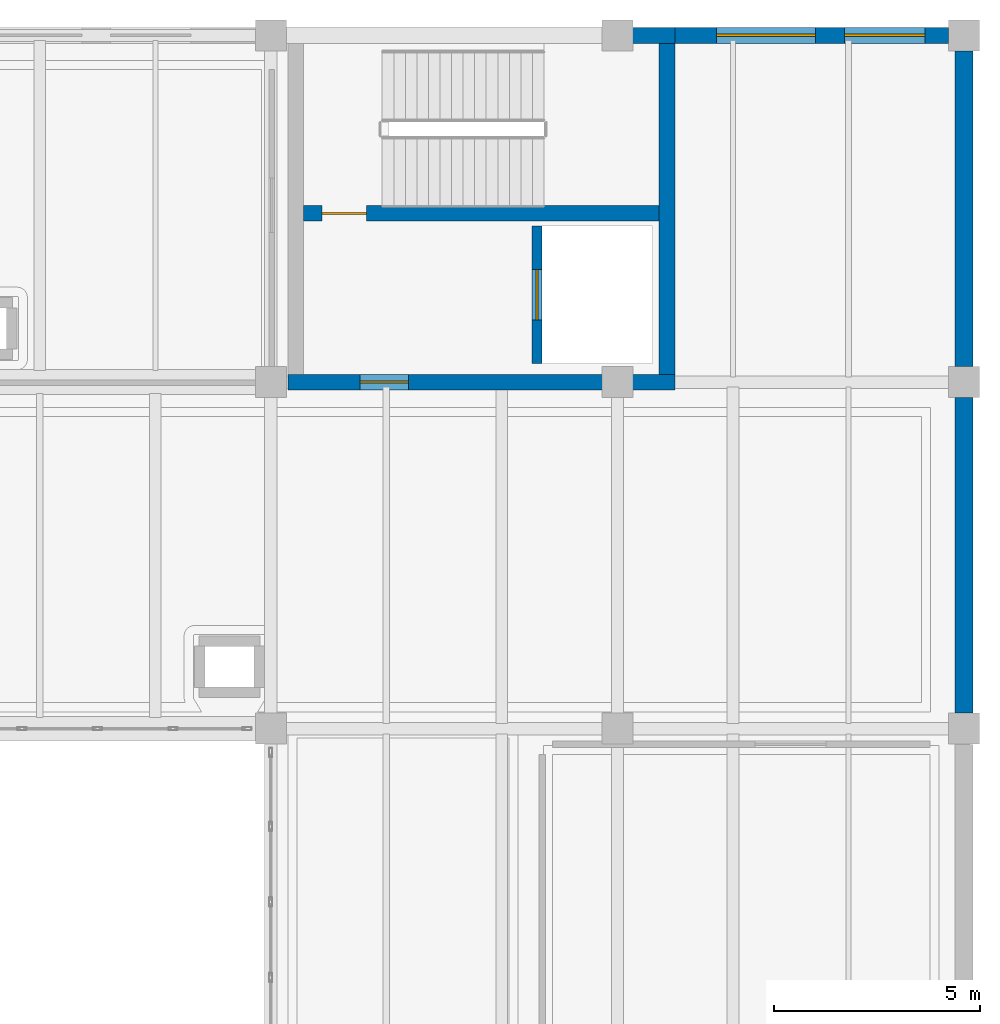
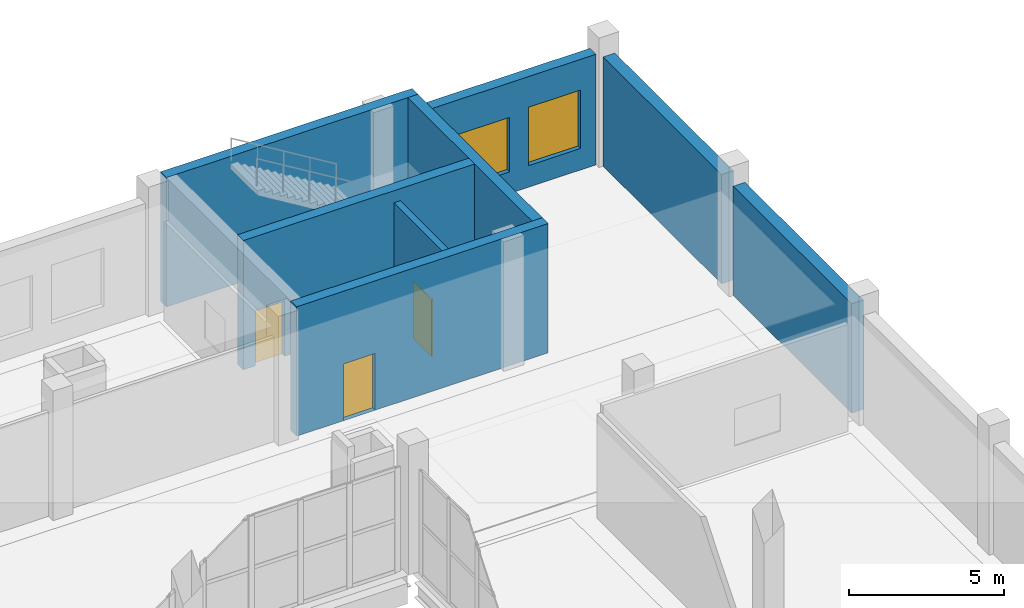
# One storey, part 65 of 77: 8 walls, 3 doors, 2 windows, 5 openings.
"""IFC4 building model written with IfcOpenShell, lengths in metres."""

from ifc_helpers import new_model, si_unit, direction, frame, frame_2d, origin, place, context, subcontext, project, spatial, rectangle, extrude, material, layer, layer_set, type_object, element, fill, save


model = new_model("IFC4")

# Units and contexts
model_context = context("Model", 3, precision=1e-05, world=origin(), true_north=direction((0.0, 1.0)))
body_context = subcontext(model_context, "Body", "Model", "MODEL_VIEW")
ifc_project = project(units=[si_unit("LENGTHUNIT", "METRE"), si_unit("AREAUNIT", "SQUARE_METRE"), si_unit("VOLUMEUNIT", "CUBIC_METRE"), si_unit("PLANEANGLEUNIT", "RADIAN"), si_unit("MASSUNIT", "GRAM", prefix="KILO")], contexts=[model_context])

# Site, building, storey
site_placement = place(None, origin())
site = spatial("IfcSite", under=ifc_project, at=site_placement, CompositionType="ELEMENT")
building_placement = place(site_placement, origin())
building = spatial("IfcBuilding", under=site, at=building_placement, Name="Zulmaris Art Gallery", CompositionType="ELEMENT")
storey_placement = place(building_placement, frame((0.0, 0.0, 15.60009765625)))
storey = spatial("IfcBuildingStorey", under=building, at=storey_placement, Name="L03", CompositionType="ELEMENT", Elevation=15.60009765625)

# Walls
ifc_material_1 = material(Name="Omani Cream Limestone Ashlar Masonry", Category="masonry")
ifc_layer_1 = layer(ifc_material_1, 0.43994140625)
ifc_layer_set_1 = layer_set([ifc_layer_1], Name="Omani Cream Limestone Ashlar Masonry")
wall_type_1 = type_object("IfcWallType", Name="ENV-WALL-EW01", PredefinedType="SOLIDWALL", material=ifc_layer_set_1)
for number, where, z_axis, x_axis, name in (
    (1, (200.39990234375, 59.177001953125, 0.0), (0.0, 0.0, 1.0), (0.0, 1.0, 0.0), "L03 V5 East Infill Party Wall"),
    (2, (200.39990234375, 67.576904296875, 0.0), (0.0, 0.0, 1.0), (0.0, 1.0, 0.0), "L03 V5 East Infill Party Wall"),
):
    element("IfcWall", number, at=place(storey_placement, frame(where, z_axis=z_axis, x_axis=x_axis)), inside=storey, type_object=wall_type_1, Name=name, PredefinedType="SOLIDWALL", context=body_context, shape_type="SweptSolid", body=[
        extrude(rectangle(XDim=7.64599609375, YDim=0.43994140625, at=frame_2d((3.822998046875, 0.0))), origin(), (0.0, 0.0, 1.0), 4.309814453125),
    ])

# Wall, openings, windows
ifc_material_2 = material(Name="Omani Desert Rose Limestone Cladding Wall", Category="masonry")
ifc_layer_2 = layer(ifc_material_2, 0.389892578125)
ifc_layer_set_2 = layer_set([ifc_layer_2], Name="Omani Desert Rose Limestone Cladding Wall")
wall_type_2 = type_object("IfcWallType", Name="ENV-WALL-EW02", PredefinedType="SOLIDWALL", material=ifc_layer_set_2)
wall_1_placement = place(storey_placement, frame((193.39208984375, 75.60009765625, 0.0), z_axis=(0.0, 0.0, 1.0), x_axis=(1.0, 0.0, 0.0)))
wall_1 = element("IfcWall", 3, at=wall_1_placement, inside=storey, type_object=wall_type_2, Name="L03 V5 North Studio Daylight Facade Bay 7", PredefinedType="SOLIDWALL", context=body_context, shape_type="SweptSolid", body=[
    extrude(rectangle(XDim=6.630859375, YDim=0.389892578125, at=frame_2d((3.3154296875, 0.0))), origin(), (0.0, 0.0, 1.0), 4.35986328125),
])
opening_1_placement = place(wall_1_placement, frame((1.008056640625, 0.0, 0.85009765625)))
opening_1 = element("IfcOpeningElement", 4, at=opening_1_placement, cuts=wall_1, Name="Opening W05", PredefinedType="OPENING", context=body_context, shape_type="SweptSolid", body=[
    extrude(rectangle(XDim=2.39990234375, YDim=2.14990234375, at=frame_2d((1.199951171875, 1.074951171875))), frame((0.0, 0.204833984375, 0.0), z_axis=(0.0, -1.0, 0.0), x_axis=(1.0, 0.0, 0.0)), (0.0, 0.0, 1.0), 0.409912109375),
])
opening_2_placement = place(wall_1_placement, frame((4.10791015625, 0.0, 0.85009765625)))
opening_2 = element("IfcOpeningElement", 5, at=opening_2_placement, cuts=wall_1, Name="Opening W08", PredefinedType="OPENING", context=body_context, shape_type="SweptSolid", body=[
    extrude(rectangle(XDim=1.949951171875, YDim=2.300048828125, at=frame_2d((0.97509765625, 1.14990234375))), frame((0.0, 0.204833984375, 0.0), z_axis=(0.0, -1.0, 0.0), x_axis=(1.0, 0.0, 0.0)), (0.0, 0.0, 1.0), 0.409912109375),
])
ifc_material_3 = material(Name="North-Facing Conservation Daylight Window", Category="glass")
window_type_1 = type_object("IfcWindowType", Name="WIN-W05", PartitioningType="SINGLE_PANEL", PredefinedType="WINDOW", material=ifc_material_3)
window_1_placement = place(opening_1_placement, origin())
window_1 = element("IfcWindow", 6, at=window_1_placement, inside=storey, type_object=window_type_1, Name="L03 exterior window W05", OverallHeight=2.14990234375, OverallWidth=2.39990234375, PartitioningType="SINGLE_PANEL", PredefinedType="WINDOW", context=body_context, shape_type="SweptSolid", body=[
    extrude(rectangle(XDim=2.39990234375, YDim=2.14990234375, at=frame_2d((1.199951171875, 1.074951171875))), frame((0.0, 0.030029296875, 0.0), z_axis=(0.0, -1.0, 0.0), x_axis=(1.0, 0.0, 0.0)), (0.0, 0.0, 1.0), 0.06005859375),
])
fill(opening_1, window_1)
ifc_material_4 = material(Name="Curatorial North Studio Window", Category="glass")
window_type_2 = type_object("IfcWindowType", Name="WIN-W08", PartitioningType="SINGLE_PANEL", PredefinedType="WINDOW", material=ifc_material_4)
window_2_placement = place(opening_2_placement, origin())
window_2 = element("IfcWindow", 7, at=window_2_placement, inside=storey, type_object=window_type_2, Name="L03 exterior window W08", OverallHeight=2.300048828125, OverallWidth=1.949951171875, PartitioningType="SINGLE_PANEL", PredefinedType="WINDOW", context=body_context, shape_type="SweptSolid", body=[
    extrude(rectangle(XDim=1.949951171875, YDim=2.300048828125, at=frame_2d((0.97509765625, 1.14990234375))), frame((0.0, 0.030029296875, 0.0), z_axis=(0.0, -1.0, 0.0), x_axis=(1.0, 0.0, 0.0)), (0.0, 0.0, 1.0), 0.06005859375),
])
fill(opening_2, window_2)

# Wall, opening, door
ifc_material_5 = material(Name="Core Lobby Fire-Resisting Masonry Wall", Category="masonry")
ifc_layer_3 = layer(ifc_material_5, 0.235107421875)
ifc_layer_set_3 = layer_set([ifc_layer_3], Name="Core Lobby Fire-Resisting Masonry Wall")
wall_type_3 = type_object("IfcWallType", Name="IWALL-PW10", PredefinedType="PARTITIONING", material=ifc_layer_set_3)
wall_2_placement = place(storey_placement, frame((190.050048828125, 67.64990234375, 0.0), z_axis=(0.0, 0.0, 1.0), x_axis=(0.0, 1.0, 0.0)))
wall_2 = element("IfcWall", 8, at=wall_2_placement, inside=storey, type_object=wall_type_3, Name="LF-F1 L03 lift shaft front wall", PredefinedType="PARTITIONING", context=body_context, shape_type="SweptSolid", body=[
    extrude(rectangle(XDim=3.330078125, YDim=0.235107421875, at=frame_2d((1.6650390625, 0.0))), origin(), (0.0, 0.0, 1.0), 4.719970703125),
])
opening_3_placement = place(wall_2_placement, frame((1.054931640625, 0.0, 0.0)))
opening_3 = element("IfcOpeningElement", 9, at=opening_3_placement, cuts=wall_2, Name="Opening LD02", PredefinedType="OPENING", context=body_context, shape_type="SweptSolid", body=[
    extrude(rectangle(XDim=1.219970703125, YDim=2.239990234375, at=frame_2d((0.60986328125, 1.1201171875))), frame((0.0, 0.12744140625, 0.0), z_axis=(0.0, -1.0, 0.0), x_axis=(1.0, 0.0, 0.0)), (0.0, 0.0, 1.0), 0.255126953125),
])
ifc_material_6 = material(Name="Firefighting Lift Sliding Landing Door", Category="steel")
door_type_1 = type_object("IfcDoorType", Name="IDOOR-LD02", OperationType="SLIDING_TO_RIGHT", PredefinedType="DOOR", material=ifc_material_6)
door_1_placement = place(opening_3_placement, origin())
door_1 = element("IfcDoor", 10, at=door_1_placement, inside=storey, type_object=door_type_1, Name="LF-F1 L03 Lift Landing Sliding Door", OperationType="SLIDING_TO_RIGHT", OverallHeight=2.239990234375, OverallWidth=1.219970703125, PredefinedType="DOOR", context=body_context, shape_type="SweptSolid", body=[
    extrude(rectangle(XDim=1.219970703125, YDim=2.239990234375, at=frame_2d((0.60986328125, 1.1201171875))), frame((0.0, 0.02490234375, 0.0), z_axis=(0.0, -1.0, 0.0), x_axis=(1.0, 0.0, 0.0)), (0.0, 0.0, 1.0), 0.050048828125),
])
fill(opening_3, door_1)

ifc_material_7 = material(Name="Concrete C50/60", Category="concrete")
ifc_layer_4 = layer(ifc_material_7, 0.3798828125)
ifc_layer_set_4 = layer_set([ifc_layer_4], Name="Concrete C50/60")
wall_type_4 = type_object("IfcWallType", Name="STR-WALL-SW02", PredefinedType="SHEAR", material=ifc_layer_set_4)
wall_3_placement = place(storey_placement, frame((184.010009765625, 67.199951171875, 0.0), z_axis=(0.0, 0.0, 1.0), x_axis=(1.0, 0.0, 0.0)))
wall_3 = element("IfcWall", 11, at=wall_3_placement, inside=storey, type_object=wall_type_4, Name="Core C4 L03 S shear wall", PredefinedType="SHEAR", context=body_context, shape_type="SweptSolid", body=[
    extrude(rectangle(XDim=9.3798828125, YDim=0.3798828125, at=frame_2d((4.68994140625, 0.0))), origin(), (0.0, 0.0, 1.0), 5.099853515625),
])
opening_4_placement = place(wall_3_placement, frame((1.75, 0.0, 0.0)))
opening_4 = element("IfcOpeningElement", 12, at=opening_4_placement, cuts=wall_3, Name="Opening D08", PredefinedType="OPENING", context=body_context, shape_type="SweptSolid", body=[
    extrude(rectangle(XDim=1.179931640625, YDim=2.239990234375, at=frame_2d((0.58984375, 1.1201171875))), frame((0.0, 0.199951171875, 0.0), z_axis=(0.0, -1.0, 0.0), x_axis=(1.0, 0.0, 0.0)), (0.0, 0.0, 1.0), 0.39990234375),
])
ifc_material_8 = material(Name="Firefighting Lobby Compartment Door", Category="steel")
door_type_2 = type_object("IfcDoorType", Name="IDOOR-D08", OperationType="NOTDEFINED", PredefinedType="DOOR", material=ifc_material_8)
door_2_placement = place(opening_4_placement, origin())
door_2 = element("IfcDoor", 13, at=door_2_placement, inside=storey, type_object=door_type_2, Name="Core C4 L03 Lobby Compartment Door", OperationType="SINGLE_SWING_RIGHT", OverallHeight=2.239990234375, OverallWidth=1.179931640625, PredefinedType="DOOR", context=body_context, shape_type="SweptSolid", body=[
    extrude(rectangle(XDim=1.179931640625, YDim=2.239990234375, at=frame_2d((0.58984375, 1.1201171875))), frame((0.0, 0.02490234375, 0.0), z_axis=(0.0, -1.0, 0.0), x_axis=(1.0, 0.0, 0.0)), (0.0, 0.0, 1.0), 0.050048828125),
])
fill(opening_4, door_2)

# Walls
wall_4_placement = place(storey_placement, frame((184.010009765625, 75.60009765625, 0.0), z_axis=(0.0, 0.0, 1.0), x_axis=(1.0, 0.0, 0.0)))
element("IfcWall", 14, at=wall_4_placement, inside=storey, type_object=wall_type_4, Name="Core C4 L03 N shear wall", PredefinedType="SHEAR", context=body_context, shape_type="SweptSolid", body=[
    extrude(rectangle(XDim=9.3798828125, YDim=0.3798828125, at=frame_2d((4.68994140625, 0.0))), origin(), (0.0, 0.0, 1.0), 5.099853515625),
])
wall_5_placement = place(storey_placement, frame((193.199951171875, 67.389892578125, 0.0), z_axis=(0.0, 0.0, 1.0), x_axis=(0.0, 1.0, 0.0)))
element("IfcWall", 15, at=wall_5_placement, inside=storey, type_object=wall_type_4, Name="Core C4 L03 E shear wall", PredefinedType="SHEAR", context=body_context, shape_type="SweptSolid", body=[
    extrude(rectangle(XDim=8.02001953125, YDim=0.3798828125, at=frame_2d((4.010009765625, 0.0))), origin(), (0.0, 0.0, 1.0), 5.099853515625),
])

# Wall, opening, door
wall_6_placement = place(storey_placement, frame((184.389892578125, 71.2900390625, 0.0), z_axis=(0.0, 0.0, 1.0), x_axis=(1.0, 0.0, 0.0)))
wall_6 = element("IfcWall", 16, at=wall_6_placement, inside=storey, type_object=wall_type_4, Name="Core C4 L03 DIV shear wall", PredefinedType="SHEAR", context=body_context, shape_type="SweptSolid", body=[
    extrude(rectangle(XDim=8.6201171875, YDim=0.3798828125, at=frame_2d((4.31005859375, 0.0))), origin(), (0.0, 0.0, 1.0), 5.099853515625),
])
opening_5_placement = place(wall_6_placement, frame((0.449951171875, 0.0, 0.0)))
opening_5 = element("IfcOpeningElement", 17, at=opening_5_placement, cuts=wall_6, Name="Opening D07", PredefinedType="OPENING", context=body_context, shape_type="SweptSolid", body=[
    extrude(rectangle(XDim=1.080078125, YDim=2.179931640625, at=frame_2d((0.5400390625, 1.08984375))), frame((0.0, 0.199951171875, 0.0), z_axis=(0.0, -1.0, 0.0), x_axis=(1.0, 0.0, 0.0)), (0.0, 0.0, 1.0), 0.39990234375),
])
ifc_material_9 = material(Name="Stairwell Fire Escape Door", Category="steel")
door_type_3 = type_object("IfcDoorType", Name="IDOOR-D07", OperationType="NOTDEFINED", PredefinedType="DOOR", material=ifc_material_9)
door_3_placement = place(opening_5_placement, origin())
door_3 = element("IfcDoor", 18, at=door_3_placement, inside=storey, type_object=door_type_3, Name="Core C4 L03 Stair ST4 Fire Door", OperationType="SINGLE_SWING_LEFT", OverallHeight=2.179931640625, OverallWidth=1.080078125, PredefinedType="DOOR", context=body_context, shape_type="SweptSolid", body=[
    extrude(rectangle(XDim=1.080078125, YDim=2.179931640625, at=frame_2d((0.5400390625, 1.08984375))), frame((0.0, 0.02490234375, 0.0), z_axis=(0.0, -1.0, 0.0), x_axis=(1.0, 0.0, 0.0)), (0.0, 0.0, 1.0), 0.050048828125),
])
fill(opening_5, door_3)

save(model, "model.ifc")
